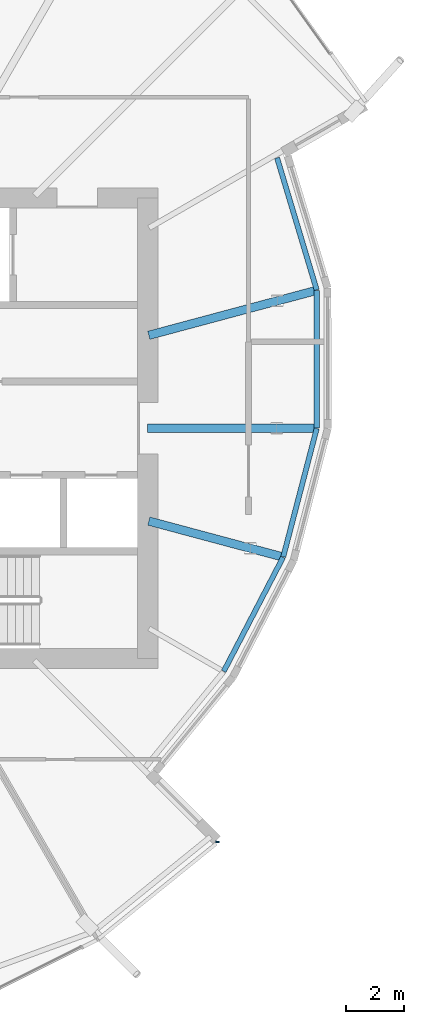
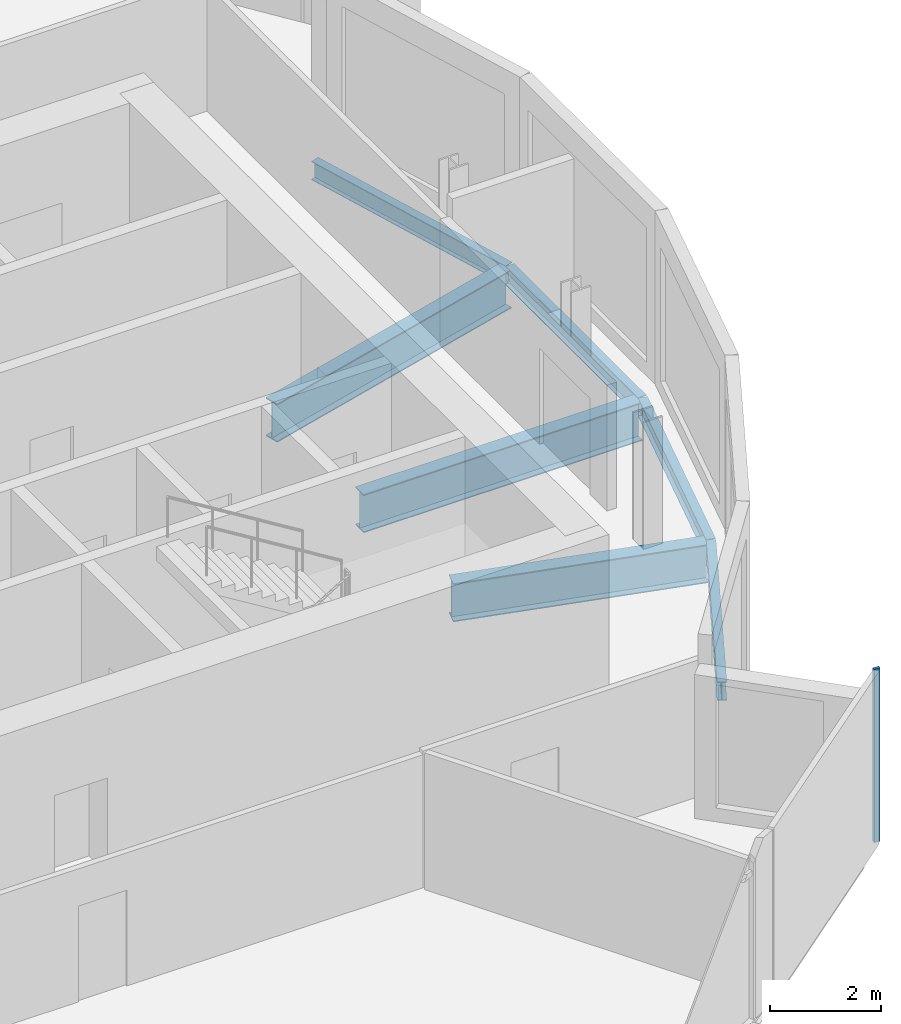
# One storey, part 16 of 40: 7 beams, 1 member, 1 element without a shape of its own.
"""IFC4 building model written with IfcOpenShell, lengths in metres."""

from ifc_helpers import new_model, si_unit, direction, frame, origin, origin_2d, place, context, subcontext, project, spatial, rectangle, i_section, extrude, material, material_profile, profile_set, type_object, element, aggregate, save


model = new_model("IFC4")

# Units and contexts
model_context = context("Model", 3, precision=1e-05, world=origin(), true_north=direction((0.0, 1.0)))
body_context = subcontext(model_context, "Body", "Model", "MODEL_VIEW")
ifc_project = project(units=[si_unit("LENGTHUNIT", "METRE"), si_unit("AREAUNIT", "SQUARE_METRE"), si_unit("VOLUMEUNIT", "CUBIC_METRE"), si_unit("PLANEANGLEUNIT", "RADIAN"), si_unit("MASSUNIT", "GRAM", prefix="KILO")], contexts=[model_context])

# Site, building, storey
site_placement = place(None, origin())
site = spatial("IfcSite", under=ifc_project, at=site_placement, CompositionType="ELEMENT")
building_placement = place(site_placement, origin())
building = spatial("IfcBuilding", under=site, at=building_placement, Name="Rimbun Link Towers", CompositionType="ELEMENT")
storey_placement = place(building_placement, frame((0.0, 0.0, 150.60009765625)))
storey = spatial("IfcBuildingStorey", under=building, at=storey_placement, Name="L36", CompositionType="ELEMENT", Elevation=150.60009765625)

# Curtain wall, member
ifc_material_1 = material(Name="Aluminium 6063-T6 and low-iron glass", Category="aluminium")
curtain_wall_type = type_object("IfcCurtainWallType", Name="CW4 link block wall", PredefinedType="NOTDEFINED", material=ifc_material_1)
curtain_wall_placement = place(storey_placement, origin())
curtain_wall = element("IfcCurtainWall", 1, at=curtain_wall_placement, inside=storey, type_object=curtain_wall_type, Name="CW4 L36 T2", PredefinedType="NOTDEFINED")
ifc_material_2 = material(Name="Aluminium 6063-T6", Category="aluminium")
ifc_material_profile_1 = material_profile(ifc_material_2, rectangle(XDim=0.1201171875, YDim=0.06005859375, at=origin_2d()), Name="MULLION 60X120")
ifc_profile_set_1 = profile_set([ifc_material_profile_1], Name="Aluminium 6063-T6")
member_type = type_object("IfcMemberType", Name="CW4 mullion 60X120", PredefinedType="MULLION", material=ifc_profile_set_1)
member_placement = place(storey_placement, frame((46.17529296875, -14.368408203125, 0.0), z_axis=(0.0, 0.0, 1.0), x_axis=(0.998624088058, -0.052439782127, 0.0)))
member = element("IfcMember", 2, at=member_placement, type_object=member_type, Name="CW4 mullion", PredefinedType="MULLION", context=body_context, shape_type="SweptSolid", body=[
    extrude(rectangle(XDim=0.1201171875, YDim=0.06005859375, at=origin_2d()), origin(), (0.0, 0.0, 1.0), 3.7998046875),
])
aggregate(curtain_wall, [member])

# Beams
ifc_material_3 = material(Name="Steel S355J2", Category="steel")
ifc_material_profile_2 = material_profile(ifc_material_3, i_section(OverallWidth=0.177978515625, OverallDepth=0.406494140625, WebThickness=0.0078125, FlangeThickness=0.0126953125, at=origin_2d()), Name="UB 406x178x60")
ifc_profile_set_2 = profile_set([ifc_material_profile_2], Name="Steel S355J2")
beam_type_1 = type_object("IfcBeamType", Name="UB 406x178x60", PredefinedType="BEAM", material=ifc_profile_set_2)
beam_1_placement = place(storey_placement, frame((46.39208984375, -8.44189453125, -0.38330078125), z_axis=(0.461630243497, 0.887072442526, 0.0), x_axis=(-0.887072442526, 0.461630243497, 0.0)))
element("IfcBeam", 3, at=beam_1_placement, inside=storey, type_object=beam_type_1, Name="Edge beam T2 L36 19 recess", PredefinedType="BEAM", context=body_context, shape_type="SweptSolid", body=[
    extrude(i_section(OverallWidth=0.177978515625, OverallDepth=0.406494140625, WebThickness=0.0078125, FlangeThickness=0.0126953125, at=origin_2d()), origin(), (0.0, 0.0, 1.0), 4.45947265625),
])
beam_2_placement = place(storey_placement, frame((48.45849609375, -4.465576171875, -0.38330078125), z_axis=(0.252333363174, 0.96764036389, 0.0), x_axis=(-0.96764036389, 0.252333363174, 0.0)))
element("IfcBeam", 4, at=beam_2_placement, inside=storey, type_object=beam_type_1, Name="Edge beam T2 L36 20 recess", PredefinedType="BEAM", context=body_context, shape_type="SweptSolid", body=[
    extrude(i_section(OverallWidth=0.177978515625, OverallDepth=0.406494140625, WebThickness=0.0078125, FlangeThickness=0.0126953125, at=origin_2d()), origin(), (0.0, 0.0, 1.0), 4.6025390625),
])
beam_3_placement = place(storey_placement, frame((49.622802734375, 0.012451171875, -0.38330078125), z_axis=(0.000153783062, 0.999999988175, 0.0), x_axis=(-0.999999988175, 0.000153783062, 0.0)))
element("IfcBeam", 5, at=beam_3_placement, inside=storey, type_object=beam_type_1, Name="Edge beam T2 L36 21 recess", PredefinedType="BEAM", context=body_context, shape_type="SweptSolid", body=[
    extrude(i_section(OverallWidth=0.177978515625, OverallDepth=0.406494140625, WebThickness=0.0078125, FlangeThickness=0.0126953125, at=origin_2d()), origin(), (0.0, 0.0, 1.0), 4.7626953125),
])
beam_4_placement = place(storey_placement, frame((49.619384765625, 4.802734375, -0.38330078125), z_axis=(-0.287413384328, 0.957806633152, 0.0), x_axis=(-0.957806633152, -0.287413384328, 0.0)))
element("IfcBeam", 6, at=beam_4_placement, inside=storey, type_object=beam_type_1, Name="Edge beam T2 L36 22 recess", PredefinedType="BEAM", context=body_context, shape_type="SweptSolid", body=[
    extrude(i_section(OverallWidth=0.177978515625, OverallDepth=0.406494140625, WebThickness=0.0078125, FlangeThickness=0.0126953125, at=origin_2d()), origin(), (0.0, 0.0, 1.0), 4.787353515625),
])
ifc_material_4 = material(Name="Steel S355J2", Category="steel")
ifc_material_profile_3 = material_profile(ifc_material_4, i_section(OverallWidth=0.29248046875, OverallDepth=0.8408203125, WebThickness=0.0126953125, FlangeThickness=0.021728515625, at=origin_2d()), Name="UB 838x292x194")
ifc_profile_set_3 = profile_set([ifc_material_profile_3], Name="Steel S355J2")
beam_type_2 = type_object("IfcBeamType", Name="UB 838x292x194", PredefinedType="BEAM", material=ifc_profile_set_3)
beam_5_placement = place(storey_placement, frame((43.788818359375, -3.225830078125, -0.6005859375), z_axis=(0.965928284471, -0.258809870868, 0.0), x_axis=(0.258809870868, 0.965928284471, 0.0)))
element("IfcBeam", 7, at=beam_5_placement, inside=storey, type_object=beam_type_2, Name="Radial beam T2 L36 20", PredefinedType="BEAM", context=body_context, shape_type="SweptSolid", body=[
    extrude(i_section(OverallWidth=0.29248046875, OverallDepth=0.8408203125, WebThickness=0.0126953125, FlangeThickness=0.021728515625, at=origin_2d()), origin(), (0.0, 0.0, 1.0), 4.7412109375),
])
beam_6_placement = place(storey_placement, frame((43.7509765625, 0.0, -0.6005859375), z_axis=(1.0, 0.0, 0.0), x_axis=(0.0, 1.0, 0.0)))
element("IfcBeam", 8, at=beam_6_placement, inside=storey, type_object=beam_type_2, Name="Radial beam T2 L36 21", PredefinedType="BEAM", context=body_context, shape_type="SweptSolid", body=[
    extrude(i_section(OverallWidth=0.29248046875, OverallDepth=0.8408203125, WebThickness=0.0126953125, FlangeThickness=0.021728515625, at=origin_2d()), origin(), (0.0, 0.0, 1.0), 5.78125),
])
beam_7_placement = place(storey_placement, frame((43.788818359375, 3.225830078125, -0.6005859375), z_axis=(0.96592369199, 0.258827010283, 0.0), x_axis=(-0.258827010283, 0.96592369199, 0.0)))
element("IfcBeam", 9, at=beam_7_placement, inside=storey, type_object=beam_type_2, Name="Radial beam T2 L36 22", PredefinedType="BEAM", context=body_context, shape_type="SweptSolid", body=[
    extrude(i_section(OverallWidth=0.29248046875, OverallDepth=0.8408203125, WebThickness=0.0126953125, FlangeThickness=0.021728515625, at=origin_2d()), origin(), (0.0, 0.0, 1.0), 5.949951171875),
])

save(model, "model.ifc")
